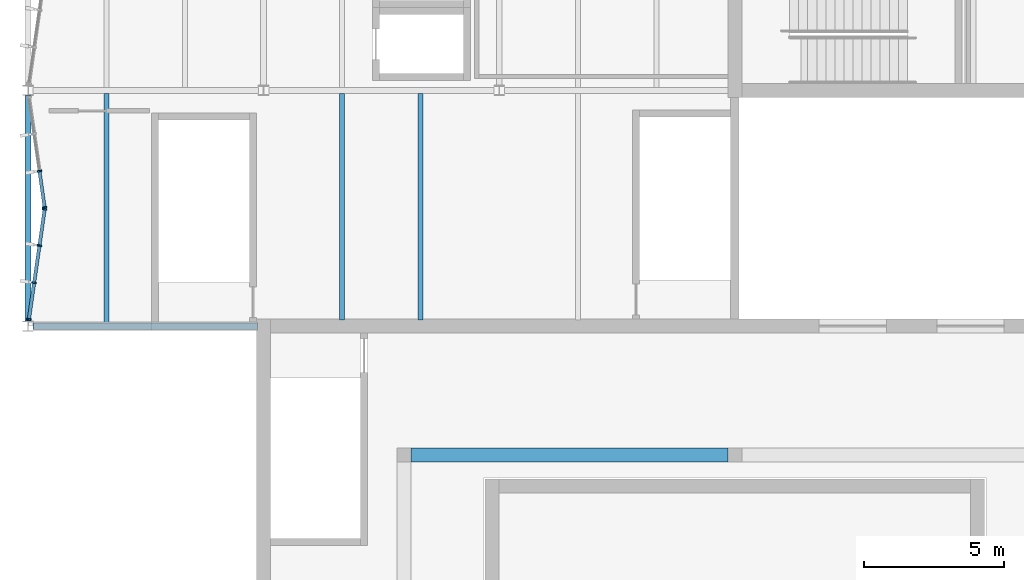
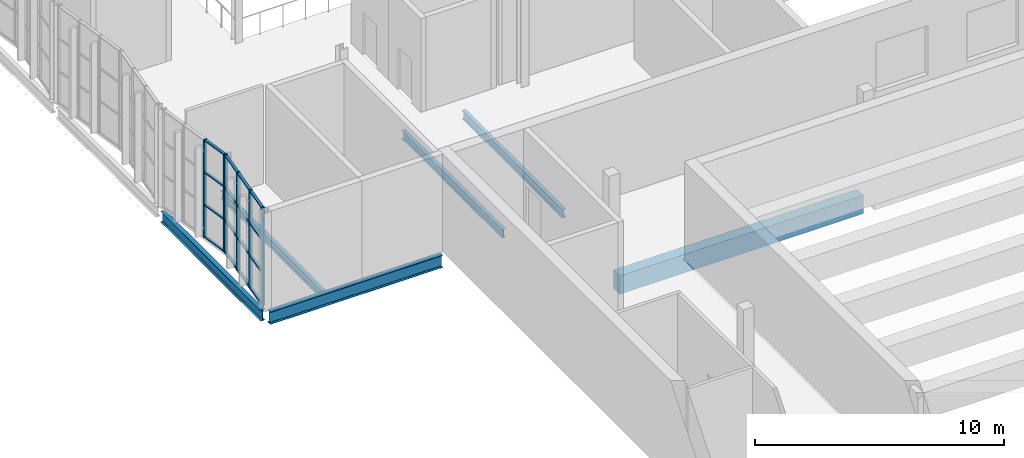
# One storey, part 18 of 116: 22 members, 6 beams, 2 elements without a shape of their own.
"""IFC4 building model written with IfcOpenShell, lengths in metres."""

import ifcopenshell
import ifcopenshell.guid

model = None  # the IFC model being written
_history = None  # IfcOwnerHistory: only IFC2X3 demands one
_inside = {}  # id of a spatial element -> (the spatial element, [elements in it])
_under = {}  # id of a project, library or spatial element -> (it, [spatial elements below it])
_declared = {}  # id of a project -> (the project, [libraries it declares])
_typed = {}  # id of a type object -> (the type object, [elements of that type])
_made_of = {}  # id of a material, layer set ... -> (it, [elements and type objects made of it])


def new_model(schema):
    """Start an empty IFC model of exactly this schema.

    Asked for "IFC4X3", IfcOpenShell would pick the latest addendum, in which some entities
    have other attributes; the version numbers below select the first issue.
    IFC2X3 requires an IfcOwnerHistory on every rooted entity: one is made here for all.
    """
    global model, _history
    if schema == "IFC4X3":
        model = ifcopenshell.file(schema_version=(4, 3, 0, 0))
    else:
        model = ifcopenshell.file(schema=schema)
    _inside.clear()
    _under.clear()
    _declared.clear()
    _typed.clear()
    _made_of.clear()
    _history = None
    if model.schema == "IFC2X3":
        org = make("IfcOrganization", Name="unknown")
        user = make(
            "IfcPersonAndOrganization",
            ThePerson=make("IfcPerson", FamilyName="unknown"),
            TheOrganization=org,
        )
        app = make(
            "IfcApplication",
            ApplicationDeveloper=org,
            Version="unknown",
            ApplicationFullName="unknown",
            ApplicationIdentifier="unknown",
        )
        _history = make(
            "IfcOwnerHistory",
            OwningUser=user,
            OwningApplication=app,
            ChangeAction="ADDED",
            CreationDate=0,
        )
    return model


def make(cls, **values):
    """One entity of the class cls with the attributes given. An attribute that is None is left unset."""
    return model.create_entity(
        cls, **{name: value for name, value in values.items() if value is not None}
    )


def rooted(cls, **values):
    """An entity with a GlobalId (a new one), such as an element, a storey or a relation."""
    return make(cls, GlobalId=ifcopenshell.guid.new(), OwnerHistory=_history, **values)


def si_unit(unit_type, name, prefix=None):
    """IfcSIUnit, for example si_unit("LENGTHUNIT", "METRE", prefix="MILLI")."""
    return make("IfcSIUnit", UnitType=unit_type, Prefix=prefix, Name=name)


def assignment(units):
    """IfcUnitAssignment: the units of a project."""
    return None if units is None else make("IfcUnitAssignment", Units=units)


def point(xyz):
    """IfcCartesianPoint."""
    return None if xyz is None else make("IfcCartesianPoint", Coordinates=xyz)


def direction(xyz):
    """IfcDirection."""
    return None if xyz is None else make("IfcDirection", DirectionRatios=xyz)


def frame(location, z_axis=None, x_axis=None):
    """IfcAxis2Placement3D, a coordinate frame: its origin and axes. An axis left out is left unset."""
    return make(
        "IfcAxis2Placement3D",
        Location=point(location),
        Axis=direction(z_axis),
        RefDirection=direction(x_axis),
    )


def frame_2d(location, x_axis=None):
    """IfcAxis2Placement2D, a coordinate frame in the plane: its origin and x axis."""
    return make(
        "IfcAxis2Placement2D", Location=point(location), RefDirection=direction(x_axis)
    )


def origin():
    """The frame at (0, 0, 0) with its axes left unset."""
    return frame((0.0, 0.0, 0.0))


def origin_2d():
    """The frame at (0, 0) in the plane with its x axis left unset."""
    return frame_2d((0.0, 0.0))


def place(relative_to, where):
    """IfcLocalPlacement: puts the frame where relative to a parent placement (None: the world)."""
    return make(
        "IfcLocalPlacement", PlacementRelTo=relative_to, RelativePlacement=where
    )


def context(
    kind, dimensions, precision=None, world=None, true_north=None, identifier=None
):
    """IfcGeometricRepresentationContext, for example the 3D "Model" context."""
    return make(
        "IfcGeometricRepresentationContext",
        ContextIdentifier=identifier,
        ContextType=kind,
        CoordinateSpaceDimension=dimensions,
        Precision=precision,
        WorldCoordinateSystem=world,
        TrueNorth=true_north,
    )


def subcontext(parent, identifier, kind, view, scale=None):
    """IfcGeometricRepresentationSubContext, for example "Body" below "Model"."""
    return make(
        "IfcGeometricRepresentationSubContext",
        ContextIdentifier=identifier,
        ContextType=kind,
        ParentContext=parent,
        TargetScale=scale,
        TargetView=view,
    )


def project(units=None, contexts=None):
    """IfcProject with its units and contexts."""
    return rooted(
        "IfcProject",
        Name="project",
        RepresentationContexts=contexts,
        UnitsInContext=assignment(units),
    )


def spatial(cls, under=None, at=None, **own):
    """A site, building, storey or space (cls), placed at a placement, below another one or the project."""
    s = rooted(cls, ObjectPlacement=at, **own)
    if under is not None:
        _under.setdefault(under.id(), (under, []))[1].append(s)
    return s


def profile(cls, at=None, kind="AREA", **sizes):
    """A parametric profile (cls). Its sizes go by their IFC names, for example OverallWidth=200.0."""
    return make(cls, ProfileType=kind, Position=at, **sizes)


def rectangle(**sizes):
    """IfcRectangleProfileDef."""
    return profile("IfcRectangleProfileDef", **sizes)


def i_section(**sizes):
    """IfcIShapeProfileDef."""
    return profile("IfcIShapeProfileDef", **sizes)


def extrude(swept, where, along, depth):
    """IfcExtrudedAreaSolid: the profile swept, set in the frame where, extruded along a direction by depth."""
    return make(
        "IfcExtrudedAreaSolid",
        SweptArea=swept,
        Position=where,
        ExtrudedDirection=direction(along),
        Depth=depth,
    )


def shape(context_of_items, identifier, shape_type, items):
    """IfcShapeRepresentation: the items that make up one representation, for example the "Body"."""
    return make(
        "IfcShapeRepresentation",
        ContextOfItems=context_of_items,
        RepresentationIdentifier=identifier,
        RepresentationType=shape_type,
        Items=items,
    )


def material(Name=None, Category=None):
    """IfcMaterial."""
    return make("IfcMaterial", Name=Name, Category=Category)


def material_profile(
    of_material, cross_section, Name=None, Category=None, Priority=None
):
    """IfcMaterialProfile: a cross section and its material."""
    return make(
        "IfcMaterialProfile",
        Name=Name,
        Material=of_material,
        Profile=cross_section,
        Priority=Priority,
        Category=Category,
    )


def profile_set(profiles, Name=None, composite=None):
    """IfcMaterialProfileSet."""
    return make(
        "IfcMaterialProfileSet",
        Name=Name,
        MaterialProfiles=profiles,
        CompositeProfile=composite,
    )


def made_of(thing, what):
    """Note that an element or type object is made of a material, layer set ...; save() writes the relation."""
    if what is not None:
        _made_of.setdefault(what.id(), (what, []))[1].append(thing)
    return thing


def type_object(cls, material=None, **own):
    """A type object (cls), such as IfcWallType, which elements share."""
    return made_of(rooted(cls, **own), material)


def element(
    cls,
    number,
    at=None,
    inside=None,
    cuts=None,
    type_object=None,
    material=None,
    context=None,
    identifier="Body",
    shape_type=None,
    held_by="IfcProductDefinitionShape",
    body=None,
    shapes=None,
    **own,
):
    """One element of the class cls, such as IfcWall. Its Tag is "e" and its number.

    at: its placement. inside: the storey or other place that contains it. cuts: it is an
    opening in that element (IfcRelVoidsElement). A single representation is given by context,
    identifier, shape_type and body (its items); several are given by shapes. held_by: the class
    of the entity that holds the representations. save() writes the other relations.
    """
    e = rooted(cls, Tag="e%d" % number, ObjectPlacement=at, **own)
    if body is not None:
        shapes = [shape(context, identifier, shape_type, body)]
    if shapes is not None:
        e.Representation = make(held_by, Representations=shapes)
    if inside is not None:
        _inside.setdefault(inside.id(), (inside, []))[1].append(e)
    if cuts is not None:
        rooted(
            "IfcRelVoidsElement", RelatingBuildingElement=cuts, RelatedOpeningElement=e
        )
    if type_object is not None:
        _typed.setdefault(type_object.id(), (type_object, []))[1].append(e)
    return made_of(e, material)


def aggregate(whole, parts):
    """IfcRelAggregates: a whole, such as a stair, and the parts it consists of."""
    return rooted("IfcRelAggregates", RelatingObject=whole, RelatedObjects=parts)


def save(model, path):
    """Write the relations noted so far, then the file.

    IfcRelAggregates (storeys below a building ...), IfcRelContainedInSpatialStructure (elements
    in a storey), IfcRelDefinesByType, IfcRelAssociatesMaterial and IfcRelDeclares: one each for
    every whole, place, type object, material and project.
    """
    for whole, parts in _under.values():
        aggregate(whole, parts)
    for where, things in _inside.values():
        rooted(
            "IfcRelContainedInSpatialStructure",
            RelatedElements=things,
            RelatingStructure=where,
        )
    for kind, things in _typed.values():
        rooted("IfcRelDefinesByType", RelatedObjects=things, RelatingType=kind)
    for what, things in _made_of.values():
        rooted("IfcRelAssociatesMaterial", RelatedObjects=things, RelatingMaterial=what)
    for by, libraries in _declared.values():
        rooted("IfcRelDeclares", RelatingContext=by, RelatedDefinitions=libraries)
    model.write(path)


model = new_model("IFC4")

# Units and contexts
model_context = context("Model", 3, precision=1e-05, world=origin(), true_north=direction((0.0, 1.0)))
body_context = subcontext(model_context, "Body", "Model", "MODEL_VIEW")
ifc_project = project(units=[si_unit("LENGTHUNIT", "METRE"), si_unit("AREAUNIT", "SQUARE_METRE"), si_unit("VOLUMEUNIT", "CUBIC_METRE"), si_unit("PLANEANGLEUNIT", "RADIAN"), si_unit("MASSUNIT", "GRAM", prefix="KILO")], contexts=[model_context])

# Site, building, storey
site_placement = place(None, origin())
site = spatial("IfcSite", under=ifc_project, at=site_placement, CompositionType="ELEMENT")
building_placement = place(site_placement, origin())
building = spatial("IfcBuilding", under=site, at=building_placement, Name="Ljudholm Concert House", CompositionType="ELEMENT")
storey_placement = place(building_placement, frame((0.0, 0.0, 10.199951171875)))
storey = spatial("IfcBuildingStorey", under=building, at=storey_placement, Name="L02", CompositionType="ELEMENT", Elevation=10.199951171875)

# Curtain wall, members
ifc_material_1 = material(Name="Aluminium curtain wall with impact-rated laminated glass", Category="aluminium")
curtain_wall_type = type_object("IfcCurtainWallType", Name="CURTAIN WALL 1400", PredefinedType="NOTDEFINED", material=ifc_material_1)
curtain_wall_1_placement = place(storey_placement, origin())
curtain_wall_1 = element("IfcCurtainWall", 1, at=curtain_wall_1_placement, inside=storey, type_object=curtain_wall_type, Name="Facade curtain wall", PredefinedType="NOTDEFINED")
ifc_material_2 = material(Name="Aluminium extrusion", Category="aluminium")
ifc_material_profile_1 = material_profile(ifc_material_2, rectangle(XDim=0.159912109375, YDim=0.06005859375, at=origin_2d()), Name="MULLION 60x160")
ifc_profile_set_1 = profile_set([ifc_material_profile_1], Name="Aluminium extrusion")
member_type_1 = type_object("IfcMemberType", Name="MULLION 60x160", PredefinedType="MULLION", material=ifc_profile_set_1)
member_1_placement = place(storey_placement, frame((4.035400390625, 46.24755859375, 0.0), z_axis=(0.0, 0.0, 1.0), x_axis=(-0.989949493647, 0.141421356338, 0.0)))
member_1 = element("IfcMember", 2, at=member_1_placement, type_object=member_type_1, Name="Mullion", PredefinedType="MULLION", context=body_context, shape_type="SweptSolid", body=[
    extrude(rectangle(XDim=0.159912109375, YDim=0.06005859375, at=origin_2d()), origin(), (0.0, 0.0, 1.0), 4.800048828125),
])
member_2_placement = place(storey_placement, frame((4.220703125, 47.545166015625, 0.0), z_axis=(0.0, 0.0, 1.0), x_axis=(-0.989949493647, 0.141421356338, 0.0)))
member_2 = element("IfcMember", 3, at=member_2_placement, type_object=member_type_1, Name="Mullion", PredefinedType="MULLION", context=body_context, shape_type="SweptSolid", body=[
    extrude(rectangle(XDim=0.159912109375, YDim=0.06005859375, at=origin_2d()), origin(), (0.0, 0.0, 1.0), 4.800048828125),
])
member_3_placement = place(storey_placement, frame((4.410400390625, 48.87255859375, 0.0), z_axis=(0.0, 0.0, 1.0), x_axis=(-0.989949493647, 0.141421356338, 0.0)))
member_3 = element("IfcMember", 4, at=member_3_placement, type_object=member_type_1, Name="Mullion", PredefinedType="MULLION", context=body_context, shape_type="SweptSolid", body=[
    extrude(rectangle(XDim=0.159912109375, YDim=0.06005859375, at=origin_2d()), origin(), (0.0, 0.0, 1.0), 4.800048828125),
])
member_4_placement = place(storey_placement, frame((4.595703125, 50.17041015625, 0.0), z_axis=(0.0, 0.0, 1.0), x_axis=(-0.989949493647, 0.141421356338, 0.0)))
member_4 = element("IfcMember", 5, at=member_4_placement, type_object=member_type_1, Name="Mullion", PredefinedType="MULLION", context=body_context, shape_type="SweptSolid", body=[
    extrude(rectangle(XDim=0.159912109375, YDim=0.06005859375, at=origin_2d()), origin(), (0.0, 0.0, 1.0), 4.800048828125),
])

curtain_wall_2_placement = place(storey_placement, origin())
curtain_wall_2 = element("IfcCurtainWall", 6, at=curtain_wall_2_placement, inside=storey, type_object=curtain_wall_type, Name="Facade curtain wall", PredefinedType="NOTDEFINED")
member_5_placement = place(storey_placement, frame((4.595703125, 50.229736328125, 0.0), z_axis=(0.0, 0.0, 1.0), x_axis=(-0.989949493647, -0.141421356338, 0.0)))
member_5 = element("IfcMember", 7, at=member_5_placement, type_object=member_type_1, Name="Mullion", PredefinedType="MULLION", context=body_context, shape_type="SweptSolid", body=[
    extrude(rectangle(XDim=0.159912109375, YDim=0.06005859375, at=origin_2d()), origin(), (0.0, 0.0, 1.0), 4.800048828125),
])
member_6_placement = place(storey_placement, frame((4.410400390625, 51.52734375, 0.0), z_axis=(0.0, 0.0, 1.0), x_axis=(-0.989949493647, -0.141421356338, 0.0)))
member_6 = element("IfcMember", 8, at=member_6_placement, type_object=member_type_1, Name="Mullion", PredefinedType="MULLION", context=body_context, shape_type="SweptSolid", body=[
    extrude(rectangle(XDim=0.159912109375, YDim=0.06005859375, at=origin_2d()), origin(), (0.0, 0.0, 1.0), 4.800048828125),
])

# Beams
ifc_material_3 = material(Name="Concrete 6,500 psi", Category="concrete")
ifc_material_profile_2 = material_profile(ifc_material_3, rectangle(XDim=0.5, YDim=0.89990234375, at=origin_2d()), Name="RC BEAM 500x900")
ifc_profile_set_2 = profile_set([ifc_material_profile_2], Name="Concrete 6,500 psi")
beam_type_1 = type_object("IfcBeamType", Name="RC BEAM 500x900", PredefinedType="BEAM", material=ifc_profile_set_2)
beam_1_placement = place(storey_placement, frame((17.64990234375, 41.39990234375, -0.699951171875), z_axis=(1.0, 0.0, 0.0), x_axis=(0.0, 1.0, 0.0)))
element("IfcBeam", 9, at=beam_1_placement, inside=storey, type_object=beam_type_1, Name="Ring beam", PredefinedType="BEAM", context=body_context, shape_type="SweptSolid", body=[
    extrude(rectangle(XDim=0.5, YDim=0.89990234375, at=origin_2d()), origin(), (0.0, 0.0, 1.0), 11.300048828125),
])
ifc_material_4 = material(Name="Steel ASTM A992", Category="steel")
ifc_material_profile_3 = material_profile(ifc_material_4, i_section(OverallWidth=0.177734375, OverallDepth=0.406494140625, WebThickness=0.0078125, FlangeThickness=0.012939453125, FilletRadius=0.01025390625, at=origin_2d()), Name="W16X40")
ifc_profile_set_3 = profile_set([ifc_material_profile_3], Name="Steel ASTM A992")
beam_type_2 = type_object("IfcBeamType", Name="STEEL BEAM W16X40", PredefinedType="BEAM", material=ifc_profile_set_3)
beam_2_placement = place(storey_placement, frame((6.800048828125, 46.114501953125, -0.383056640625), z_axis=(0.0, 1.0, 0.0), x_axis=(-1.0, 0.0, 0.0)))
element("IfcBeam", 10, at=beam_2_placement, inside=storey, type_object=beam_type_2, Name="Secondary beam", PredefinedType="BEAM", context=body_context, shape_type="SweptSolid", body=[
    extrude(i_section(OverallWidth=0.177734375, OverallDepth=0.406494140625, WebThickness=0.0078125, FlangeThickness=0.012939453125, FilletRadius=0.01025390625, at=origin_2d()), origin(), (0.0, 0.0, 1.0), 8.1708984375),
])
for number, where, z_axis, x_axis, name in (
    (11, (15.199951171875, 46.22509765625, -0.383056640625), (0.0, 1.0, 0.0), (-1.0, 0.0, 0.0), "Secondary beam"),
    (12, (18.0, 46.22509765625, -0.383056640625), (0.0, 1.0, 0.0), (-1.0, 0.0, 0.0), "Secondary beam"),
):
    element("IfcBeam", number, at=place(storey_placement, frame(where, z_axis=z_axis, x_axis=x_axis)), inside=storey, type_object=beam_type_2, Name=name, PredefinedType="BEAM", context=body_context, shape_type="SweptSolid", body=[
        extrude(i_section(OverallWidth=0.177734375, OverallDepth=0.406494140625, WebThickness=0.0078125, FlangeThickness=0.012939453125, FilletRadius=0.01025390625, at=origin_2d()), origin(), (0.0, 0.0, 1.0), 8.060302734375),
    ])
ifc_material_5 = material(Name="Steel ASTM A992", Category="steel")
ifc_material_profile_4 = material_profile(ifc_material_5, i_section(OverallWidth=0.209228515625, OverallDepth=0.533447265625, WebThickness=0.01025390625, FlangeThickness=0.015625, FilletRadius=0.012939453125, at=origin_2d()), Name="W21X62")
ifc_profile_set_4 = profile_set([ifc_material_profile_4], Name="Steel ASTM A992")
beam_type_3 = type_object("IfcBeamType", Name="STEEL BEAM W21X62", PredefinedType="BEAM", material=ifc_profile_set_4)
beam_3_placement = place(storey_placement, frame((4.0, 46.186767578125, -0.446533203125), z_axis=(0.0, 1.0, 0.0), x_axis=(-1.0, 0.0, 0.0)))
element("IfcBeam", 13, at=beam_3_placement, inside=storey, type_object=beam_type_3, Name="Floor edge beam", PredefinedType="BEAM", context=body_context, shape_type="SweptSolid", body=[
    extrude(i_section(OverallWidth=0.209228515625, OverallDepth=0.533447265625, WebThickness=0.01025390625, FlangeThickness=0.015625, FilletRadius=0.012939453125, at=origin_2d()), origin(), (0.0, 0.0, 1.0), 8.026611328125),
])
ifc_material_6 = material(Name="Steel ASTM A992", Category="steel")
ifc_material_profile_5 = material_profile(ifc_material_6, i_section(OverallWidth=0.22900390625, OverallDepth=0.612060546875, WebThickness=0.011962890625, FlangeThickness=0.01953125, FilletRadius=0.0126953125, at=origin_2d()), Name="W24X84")
ifc_profile_set_5 = profile_set([ifc_material_profile_5], Name="Steel ASTM A992")
beam_type_4 = type_object("IfcBeamType", Name="STEEL BEAM W24X84", PredefinedType="BEAM", material=ifc_profile_set_5)
beam_4_placement = place(storey_placement, frame((4.186767578125, 46.0, -0.486083984375), z_axis=(1.0, 0.0, 0.0), x_axis=(0.0, 1.0, 0.0)))
element("IfcBeam", 14, at=beam_4_placement, inside=storey, type_object=beam_type_4, Name="Floor girder", PredefinedType="BEAM", context=body_context, shape_type="SweptSolid", body=[
    extrude(i_section(OverallWidth=0.22900390625, OverallDepth=0.612060546875, WebThickness=0.011962890625, FlangeThickness=0.01953125, FilletRadius=0.0126953125, at=origin_2d()), origin(), (0.0, 0.0, 1.0), 7.98828125),
])

# Member
ifc_material_7 = material(Name="Aluminium extrusion", Category="aluminium")
ifc_material_profile_6 = material_profile(ifc_material_7, rectangle(XDim=0.1201171875, YDim=0.06005859375, at=origin_2d()), Name="TRANSOM 60x120")
ifc_profile_set_6 = profile_set([ifc_material_profile_6], Name="Aluminium extrusion")
member_type_2 = type_object("IfcMemberType", Name="TRANSOM 60x120", PredefinedType="USERDEFINED", material=ifc_profile_set_6)
member_7_placement = place(storey_placement, frame((4.03955078125, 46.277099609375, 0.030029296875), z_axis=(0.141503330095, 0.989937779647, 0.0), x_axis=(-0.989937779647, 0.141503330095, 0.0)))
member_7 = element("IfcMember", 15, at=member_7_placement, type_object=member_type_2, Name="Transom", ObjectType="TRANSOM", PredefinedType="USERDEFINED", context=body_context, shape_type="SweptSolid", body=[
    extrude(rectangle(XDim=0.1201171875, YDim=0.06005859375, at=origin_2d()), origin(), (0.0, 0.0, 1.0), 1.2509765625),
])

member_8_placement = place(storey_placement, frame((4.03955078125, 46.277099609375, 1.60009765625), z_axis=(0.141503330095, 0.989937779647, 0.0), x_axis=(-0.989937779647, 0.141503330095, 0.0)))
member_8 = element("IfcMember", 16, at=member_8_placement, type_object=member_type_2, Name="Transom", ObjectType="TRANSOM", PredefinedType="USERDEFINED", context=body_context, shape_type="SweptSolid", body=[
    extrude(rectangle(XDim=0.1201171875, YDim=0.06005859375, at=origin_2d()), origin(), (0.0, 0.0, 1.0), 1.2509765625),
])

member_9_placement = place(storey_placement, frame((4.03955078125, 46.277099609375, 3.199951171875), z_axis=(0.141503330095, 0.989937779647, 0.0), x_axis=(-0.989937779647, 0.141503330095, 0.0)))
member_9 = element("IfcMember", 17, at=member_9_placement, type_object=member_type_2, Name="Transom", ObjectType="TRANSOM", PredefinedType="USERDEFINED", context=body_context, shape_type="SweptSolid", body=[
    extrude(rectangle(XDim=0.1201171875, YDim=0.06005859375, at=origin_2d()), origin(), (0.0, 0.0, 1.0), 1.2509765625),
])

member_10_placement = place(storey_placement, frame((4.03955078125, 46.277099609375, 4.77001953125), z_axis=(0.141503330095, 0.989937779647, 0.0), x_axis=(-0.989937779647, 0.141503330095, 0.0)))
member_10 = element("IfcMember", 18, at=member_10_placement, type_object=member_type_2, Name="Transom", ObjectType="TRANSOM", PredefinedType="USERDEFINED", context=body_context, shape_type="SweptSolid", body=[
    extrude(rectangle(XDim=0.1201171875, YDim=0.06005859375, at=origin_2d()), origin(), (0.0, 0.0, 1.0), 1.2509765625),
])

member_11_placement = place(storey_placement, frame((4.22509765625, 47.574951171875, 0.030029296875), z_axis=(0.141421356237, 0.989949493661, 0.0), x_axis=(-0.989949493661, 0.141421356237, 0.0)))
member_11 = element("IfcMember", 19, at=member_11_placement, type_object=member_type_2, Name="Transom", ObjectType="TRANSOM", PredefinedType="USERDEFINED", context=body_context, shape_type="SweptSolid", body=[
    extrude(rectangle(XDim=0.1201171875, YDim=0.06005859375, at=origin_2d()), origin(), (0.0, 0.0, 1.0), 1.281005859375),
])

member_12_placement = place(storey_placement, frame((4.22509765625, 47.574951171875, 1.60009765625), z_axis=(0.141421356237, 0.989949493661, 0.0), x_axis=(-0.989949493661, 0.141421356237, 0.0)))
member_12 = element("IfcMember", 20, at=member_12_placement, type_object=member_type_2, Name="Transom", ObjectType="TRANSOM", PredefinedType="USERDEFINED", context=body_context, shape_type="SweptSolid", body=[
    extrude(rectangle(XDim=0.1201171875, YDim=0.06005859375, at=origin_2d()), origin(), (0.0, 0.0, 1.0), 1.281005859375),
])

member_13_placement = place(storey_placement, frame((4.22509765625, 47.574951171875, 3.199951171875), z_axis=(0.141421356237, 0.989949493661, 0.0), x_axis=(-0.989949493661, 0.141421356237, 0.0)))
member_13 = element("IfcMember", 21, at=member_13_placement, type_object=member_type_2, Name="Transom", ObjectType="TRANSOM", PredefinedType="USERDEFINED", context=body_context, shape_type="SweptSolid", body=[
    extrude(rectangle(XDim=0.1201171875, YDim=0.06005859375, at=origin_2d()), origin(), (0.0, 0.0, 1.0), 1.281005859375),
])

member_14_placement = place(storey_placement, frame((4.22509765625, 47.574951171875, 4.77001953125), z_axis=(0.141421356237, 0.989949493661, 0.0), x_axis=(-0.989949493661, 0.141421356237, 0.0)))
member_14 = element("IfcMember", 22, at=member_14_placement, type_object=member_type_2, Name="Transom", ObjectType="TRANSOM", PredefinedType="USERDEFINED", context=body_context, shape_type="SweptSolid", body=[
    extrude(rectangle(XDim=0.1201171875, YDim=0.06005859375, at=origin_2d()), origin(), (0.0, 0.0, 1.0), 1.281005859375),
])

member_15_placement = place(storey_placement, frame((4.41455078125, 48.90234375, 0.030029296875), z_axis=(0.141503330095, 0.989937779647, 0.0), x_axis=(-0.989937779647, 0.141503330095, 0.0)))
member_15 = element("IfcMember", 23, at=member_15_placement, type_object=member_type_2, Name="Transom", ObjectType="TRANSOM", PredefinedType="USERDEFINED", context=body_context, shape_type="SweptSolid", body=[
    extrude(rectangle(XDim=0.1201171875, YDim=0.06005859375, at=origin_2d()), origin(), (0.0, 0.0, 1.0), 1.2509765625),
])

member_16_placement = place(storey_placement, frame((4.41455078125, 48.90234375, 1.60009765625), z_axis=(0.141503330095, 0.989937779647, 0.0), x_axis=(-0.989937779647, 0.141503330095, 0.0)))
member_16 = element("IfcMember", 24, at=member_16_placement, type_object=member_type_2, Name="Transom", ObjectType="TRANSOM", PredefinedType="USERDEFINED", context=body_context, shape_type="SweptSolid", body=[
    extrude(rectangle(XDim=0.1201171875, YDim=0.06005859375, at=origin_2d()), origin(), (0.0, 0.0, 1.0), 1.2509765625),
])

member_17_placement = place(storey_placement, frame((4.41455078125, 48.90234375, 3.199951171875), z_axis=(0.141503330095, 0.989937779647, 0.0), x_axis=(-0.989937779647, 0.141503330095, 0.0)))
member_17 = element("IfcMember", 25, at=member_17_placement, type_object=member_type_2, Name="Transom", ObjectType="TRANSOM", PredefinedType="USERDEFINED", context=body_context, shape_type="SweptSolid", body=[
    extrude(rectangle(XDim=0.1201171875, YDim=0.06005859375, at=origin_2d()), origin(), (0.0, 0.0, 1.0), 1.2509765625),
])

member_18_placement = place(storey_placement, frame((4.41455078125, 48.90234375, 4.77001953125), z_axis=(0.141503330095, 0.989937779647, 0.0), x_axis=(-0.989937779647, 0.141503330095, 0.0)))
member_18 = element("IfcMember", 26, at=member_18_placement, type_object=member_type_2, Name="Transom", ObjectType="TRANSOM", PredefinedType="USERDEFINED", context=body_context, shape_type="SweptSolid", body=[
    extrude(rectangle(XDim=0.1201171875, YDim=0.06005859375, at=origin_2d()), origin(), (0.0, 0.0, 1.0), 1.2509765625),
])

aggregate(curtain_wall_1, [member_1, member_2, member_3, member_4, member_7, member_8, member_9, member_10, member_11, member_12, member_13, member_14, member_15, member_16, member_17, member_18])

member_19_placement = place(storey_placement, frame((4.591552734375, 50.25927734375, 0.030029296875), z_axis=(-0.141475995027, 0.989941686581, 0.0), x_axis=(-0.989941686581, -0.141475995027, 0.0)))
member_19 = element("IfcMember", 27, at=member_19_placement, type_object=member_type_2, Name="Transom", ObjectType="TRANSOM", PredefinedType="USERDEFINED", context=body_context, shape_type="SweptSolid", body=[
    extrude(rectangle(XDim=0.1201171875, YDim=0.06005859375, at=origin_2d()), origin(), (0.0, 0.0, 1.0), 1.251220703125),
])

member_20_placement = place(storey_placement, frame((4.591552734375, 50.25927734375, 1.60009765625), z_axis=(-0.141475995027, 0.989941686581, 0.0), x_axis=(-0.989941686581, -0.141475995027, 0.0)))
member_20 = element("IfcMember", 28, at=member_20_placement, type_object=member_type_2, Name="Transom", ObjectType="TRANSOM", PredefinedType="USERDEFINED", context=body_context, shape_type="SweptSolid", body=[
    extrude(rectangle(XDim=0.1201171875, YDim=0.06005859375, at=origin_2d()), origin(), (0.0, 0.0, 1.0), 1.251220703125),
])

member_21_placement = place(storey_placement, frame((4.591552734375, 50.25927734375, 3.199951171875), z_axis=(-0.141475995027, 0.989941686581, 0.0), x_axis=(-0.989941686581, -0.141475995027, 0.0)))
member_21 = element("IfcMember", 29, at=member_21_placement, type_object=member_type_2, Name="Transom", ObjectType="TRANSOM", PredefinedType="USERDEFINED", context=body_context, shape_type="SweptSolid", body=[
    extrude(rectangle(XDim=0.1201171875, YDim=0.06005859375, at=origin_2d()), origin(), (0.0, 0.0, 1.0), 1.251220703125),
])

member_22_placement = place(storey_placement, frame((4.591552734375, 50.25927734375, 4.77001953125), z_axis=(-0.141475995027, 0.989941686581, 0.0), x_axis=(-0.989941686581, -0.141475995027, 0.0)))
member_22 = element("IfcMember", 30, at=member_22_placement, type_object=member_type_2, Name="Transom", ObjectType="TRANSOM", PredefinedType="USERDEFINED", context=body_context, shape_type="SweptSolid", body=[
    extrude(rectangle(XDim=0.1201171875, YDim=0.06005859375, at=origin_2d()), origin(), (0.0, 0.0, 1.0), 1.251220703125),
])

aggregate(curtain_wall_2, [member_5, member_6, member_19, member_20, member_21, member_22])

save(model, "model.ifc")
